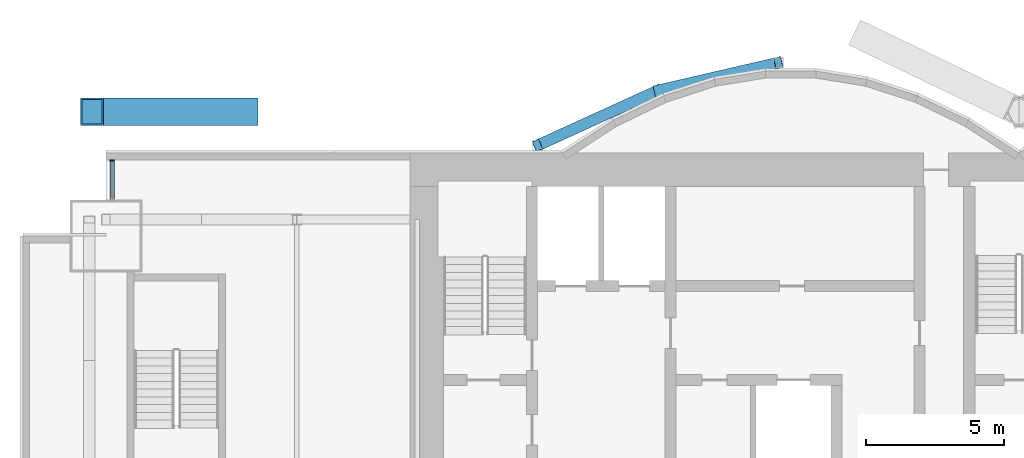
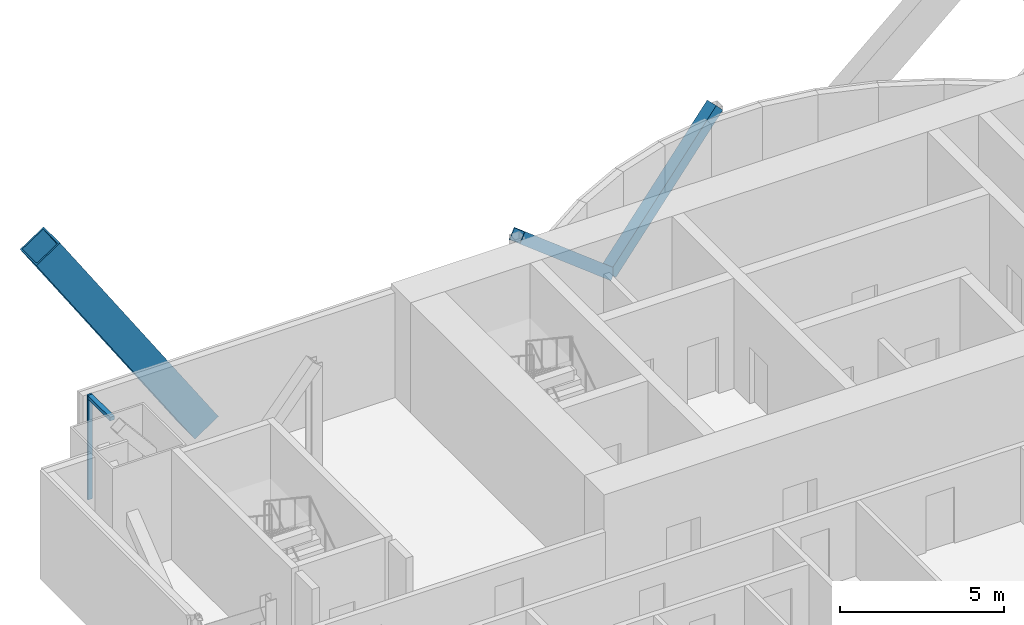
# One storey, part 10 of 20: 5 members, 1 element without a shape of its own.
"""IFC4 building model written with IfcOpenShell, lengths in metres."""

from ifc_helpers import new_model, si_unit, direction, frame, origin, origin_2d, place, context, subcontext, project, spatial, rectangle, hollow_rectangle, extrude, material, material_profile, profile_set, type_object, element, aggregate, save


model = new_model("IFC4")

# Units and contexts
model_context = context("Model", 3, precision=1e-05, world=origin(), true_north=direction((0.0, 1.0)))
body_context = subcontext(model_context, "Body", "Model", "MODEL_VIEW")
ifc_project = project(units=[si_unit("LENGTHUNIT", "METRE"), si_unit("AREAUNIT", "SQUARE_METRE"), si_unit("VOLUMEUNIT", "CUBIC_METRE"), si_unit("PLANEANGLEUNIT", "RADIAN"), si_unit("MASSUNIT", "GRAM", prefix="KILO")], contexts=[model_context])

# Site, building, storey
site_placement = place(None, origin())
site = spatial("IfcSite", under=ifc_project, at=site_placement, CompositionType="ELEMENT")
building_placement = place(site_placement, origin())
building = spatial("IfcBuilding", under=site, at=building_placement, Name="Bicima Exchange Tower", CompositionType="ELEMENT")
storey_placement = place(building_placement, frame((0.0, 0.0, 231.89990234375)))
storey = spatial("IfcBuildingStorey", under=building, at=storey_placement, Name="L52", CompositionType="ELEMENT", Elevation=231.89990234375)

# Member
ifc_material_1 = material(Name="Steel ASTM A572 Gr 50", Category="steel")
ifc_material_profile_1 = material_profile(ifc_material_1, hollow_rectangle(XDim=1.0, YDim=1.0, WallThickness=0.06005859375, at=origin_2d()))
ifc_profile_set_1 = profile_set([ifc_material_profile_1], Name="Steel ASTM A572 Gr 50")
member_type_1 = type_object("IfcMemberType", Name="Exo mega brace BOX 1000x1000x60", PredefinedType="BRACE", material=ifc_profile_set_1)
member_1_placement = place(storey_placement, frame((-27.916748046875, 1.5, 0.183349609375), z_axis=(-0.552785436873, 0.0, 0.833323623079), x_axis=(0.0, -1.0, 0.0)))
element("IfcMember", 1, at=member_1_placement, inside=storey, type_object=member_type_1, Name="Exo mega brace rear", PredefinedType="BRACE", context=body_context, shape_type="SweptSolid", body=[
    extrude(hollow_rectangle(XDim=1.0, YDim=1.0, WallThickness=0.06005859375, at=origin_2d()), origin(), (0.0, 0.0, 1.0), 10.10009765625),
])

# Curtain wall, members
ifc_material_2 = material(Name="Anodised bronze aluminium", Category="aluminium")
curtain_wall_type = type_object("IfcCurtainWallType", Name="Front glass wall", PredefinedType="NOTDEFINED", material=ifc_material_2)
curtain_wall_placement = place(storey_placement, origin())
curtain_wall = element("IfcCurtainWall", 2, at=curtain_wall_placement, inside=storey, type_object=curtain_wall_type, Name="Front glass wall L52 run 1", PredefinedType="NOTDEFINED")
ifc_material_profile_2 = material_profile(ifc_material_2, rectangle(XDim=0.159912109375, YDim=0.06005859375, at=origin_2d()))
ifc_profile_set_2 = profile_set([ifc_material_profile_2], Name="Anodised bronze aluminium")
member_type_2 = type_object("IfcMemberType", Name="Front glass wall mullion 60 x 160", PredefinedType="MULLION", material=ifc_profile_set_2)
member_2_placement = place(storey_placement, frame((-32.77001953125, -0.260009765625, 0.0), z_axis=(0.0, 0.0, 1.0), x_axis=(1.0, 0.0, 0.0)))
member_2 = element("IfcMember", 3, at=member_2_placement, type_object=member_type_2, Name="Front glass wall mullion 1", PredefinedType="MULLION", context=body_context, shape_type="SweptSolid", body=[
    extrude(rectangle(XDim=0.159912109375, YDim=0.06005859375, at=origin_2d()), origin(), (0.0, 0.0, 1.0), 3.900146484375),
])
ifc_material_profile_3 = material_profile(ifc_material_2, rectangle(XDim=0.159912109375, YDim=0.139892578125, at=origin_2d()))
ifc_profile_set_3 = profile_set([ifc_material_profile_3], Name="Anodised bronze aluminium")
member_type_3 = type_object("IfcMemberType", Name="Front glass wall transom 140 x 160", PredefinedType="USERDEFINED", material=ifc_profile_set_3)
member_3_placement = place(storey_placement, frame((-32.77001953125, -0.2900390625, 3.830078125), z_axis=(0.0, -1.0, 0.0), x_axis=(1.0, 0.0, 0.0)))
member_3 = element("IfcMember", 4, at=member_3_placement, type_object=member_type_3, Name="Front glass wall transom 1.1", ObjectType="TRANSOM", PredefinedType="USERDEFINED", context=body_context, shape_type="SweptSolid", body=[
    extrude(rectangle(XDim=0.159912109375, YDim=0.139892578125, at=origin_2d()), origin(), (0.0, 0.0, 1.0), 1.349853515625),
])
aggregate(curtain_wall, [member_2, member_3])

# Members
ifc_material_profile_4 = material_profile(ifc_material_1, hollow_rectangle(XDim=0.406494140625, YDim=0.406494140625, WallThickness=0.0146484375, at=origin_2d()))
ifc_profile_set_4 = profile_set([ifc_material_profile_4], Name="Steel ASTM A572 Gr 50")
member_type_4 = type_object("IfcMemberType", Name="Mega brace HSS16x16x5/8", PredefinedType="BRACE", material=ifc_profile_set_4)
member_4_placement = place(storey_placement, frame((-13.050048828125, 2.262451171875, 0.0), z_axis=(0.717605620354, 0.166050509188, 0.676364843878), x_axis=(-0.225438503722, 0.974257399787, 0.0)))
element("IfcMember", 5, at=member_4_placement, inside=storey, type_object=member_type_4, Name="Mega brace rexo", PredefinedType="BRACE", context=body_context, shape_type="SweptSolid", body=[
    extrude(hollow_rectangle(XDim=0.406494140625, YDim=0.406494140625, WallThickness=0.0146484375, at=origin_2d()), origin(), (0.0, 0.0, 1.0), 6.06201171875),
])
member_5_placement = place(storey_placement, frame((-13.050048828125, 2.262451171875, 0.0), z_axis=(-0.690628963585, -0.315060460011, 0.650975069565), x_axis=(0.415045223819, -0.909800781592, 0.0)))
element("IfcMember", 6, at=member_5_placement, inside=storey, type_object=member_type_4, Name="Mega brace rexo", PredefinedType="BRACE", context=body_context, shape_type="SweptSolid", body=[
    extrude(hollow_rectangle(XDim=0.406494140625, YDim=0.406494140625, WallThickness=0.0146484375, at=origin_2d()), origin(), (0.0, 0.0, 1.0), 6.29833984375),
])

save(model, "model.ifc")
